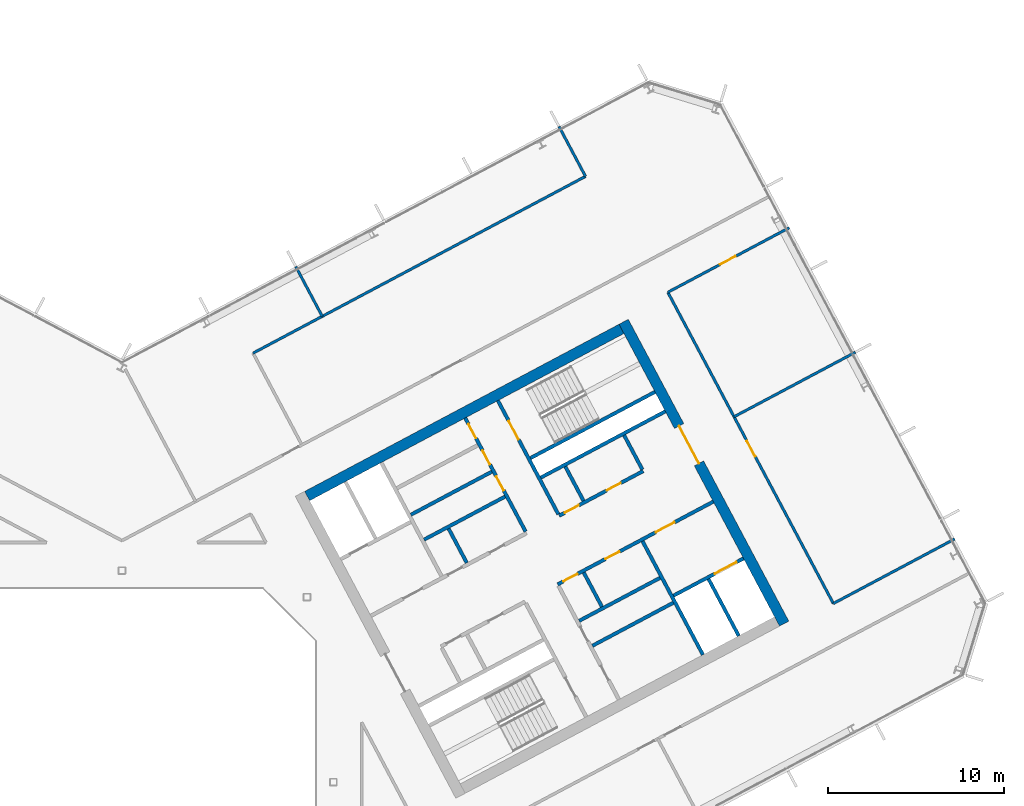
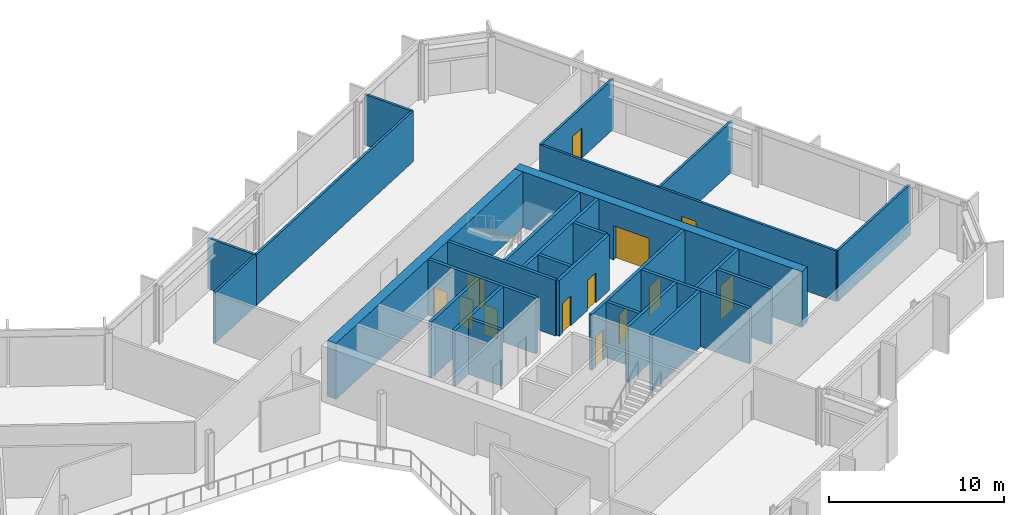
# One storey, part 16 of 26: 27 walls, 13 doors, 13 openings.
"""IFC4 building model written with IfcOpenShell, lengths in metres."""

from ifc_helpers import new_model, si_unit, direction, frame, frame_2d, origin, place, context, subcontext, project, spatial, rectangle, extrude, material, layer, layer_set, type_object, element, fill, save


model = new_model("IFC4")

# Units and contexts
model_context = context("Model", 3, precision=1e-05, world=origin(), true_north=direction((0.0, 1.0)))
body_context = subcontext(model_context, "Body", "Model", "MODEL_VIEW")
ifc_project = project(units=[si_unit("LENGTHUNIT", "METRE"), si_unit("AREAUNIT", "SQUARE_METRE"), si_unit("VOLUMEUNIT", "CUBIC_METRE"), si_unit("PLANEANGLEUNIT", "RADIAN"), si_unit("MASSUNIT", "GRAM", prefix="KILO")], contexts=[model_context])

# Site, building, storey
site_placement = place(None, origin())
site = spatial("IfcSite", under=ifc_project, at=site_placement, CompositionType="ELEMENT")
building_placement = place(site_placement, origin())
building = spatial("IfcBuilding", under=site, at=building_placement, Name="Cormorant Relay Tower", CompositionType="ELEMENT")
storey_placement = place(building_placement, frame((0.0, 0.0, 220.800048828125)))
storey = spatial("IfcBuildingStorey", under=building, at=storey_placement, Name="L48", CompositionType="ELEMENT", Elevation=220.800048828125)

# Walls
ifc_material_1 = material(Name="Concrete 40 MPa", Category="concrete")
ifc_layer_1 = layer(ifc_material_1, 0.199951171875)
ifc_layer_set_1 = layer_set([ifc_layer_1], Name="Core internal wall 200")
wall_type_1 = type_object("IfcWallType", Name="Core internal wall 200", PredefinedType="SOLIDWALL", material=ifc_layer_set_1)
for number, where, z_axis, x_axis, name in (
    (1, (19.568603515625, 12.443603515625, 0.0), (0.0, 0.0, 1.0), (-0.4694473164, 0.882960484464, 0.0), "L48 core B shaft and room wall"),
    (2, (27.236083984375, 9.951416015625, 0.0), (0.0, 0.0, 1.0), (-0.4694473164, 0.882960484464, 0.0), "L48 core B shaft and room wall"),
    (3, (26.19091796875, 15.964599609375, 0.0), (0.0, 0.0, 1.0), (-0.469533832133, 0.882914480843, 0.0), "L48 core B shaft and room wall"),
):
    element("IfcWall", number, at=place(storey_placement, frame(where, z_axis=z_axis, x_axis=x_axis)), inside=storey, type_object=wall_type_1, Name=name, PredefinedType="SOLIDWALL", context=body_context, shape_type="SweptSolid", body=[
        extrude(rectangle(XDim=2.199951171875, YDim=0.199951171875, at=frame_2d((1.10009765625, 0.0))), origin(), (0.0, 0.0, 1.0), 3.89990234375),
    ])
for number, where, z_axis, x_axis, name in (
    (4, (26.692138671875, 7.73681640625, 0.0), (0.0, 0.0, 1.0), (0.882953967957, 0.469459572775, 0.0), "L48 core B shaft and room wall"),
    (5, (16.395751953125, 15.17333984375, 0.0), (0.0, 0.0, 1.0), (0.882934506056, 0.469496174655, 0.0), "L48 core B shaft and room wall"),
):
    element("IfcWall", number, at=place(storey_placement, frame(where, z_axis=z_axis, x_axis=x_axis)), inside=storey, type_object=wall_type_1, Name=name, PredefinedType="SOLIDWALL", context=body_context, shape_type="SweptSolid", body=[
        extrude(rectangle(XDim=5.199951171875, YDim=0.199951171875, at=frame_2d((2.60009765625, 0.0))), origin(), (0.0, 0.0, 1.0), 3.89990234375),
    ])

# Wall, openings, doors
ifc_material_2 = material(Name="Concrete 50 MPa", Category="concrete")
ifc_layer_2 = layer(ifc_material_2, 0.199951171875)
ifc_layer_set_2 = layer_set([ifc_layer_2], Name="Core shaft wall 200")
wall_type_2 = type_object("IfcWallType", Name="Core shaft wall 200", PredefinedType="SHEAR", material=ifc_layer_set_2)
wall_1_placement = place(storey_placement, frame((22.90625, 14.218017578125, 0.0), z_axis=(0.0, 0.0, 1.0), x_axis=(-0.469480409012, 0.88294288918, 0.0)))
wall_1 = element("IfcWall", 6, at=wall_1_placement, inside=storey, type_object=wall_type_2, Name="L48 core B shaft wall", PredefinedType="SHEAR", context=body_context, shape_type="SweptSolid", body=[
    extrude(rectangle(XDim=7.300048828125, YDim=0.199951171875, at=frame_2d((3.64990234375, 0.0))), origin(), (0.0, 0.0, 1.0), 3.89990234375),
])
opening_1_placement = place(wall_1_placement, frame((2.64990234375, 0.0, 0.0)))
opening_1 = element("IfcOpeningElement", 7, at=opening_1_placement, cuts=wall_1, Name="Opening CDD-274", PredefinedType="OPENING", context=body_context, shape_type="SweptSolid", body=[
    extrude(rectangle(XDim=0.89990234375, YDim=2.10009765625, at=frame_2d((0.449951171875, 1.050048828125))), frame((0.0, 0.10986328125, 0.0), z_axis=(0.0, -1.0, 0.0), x_axis=(1.0, 0.0, 0.0)), (0.0, 0.0, 1.0), 0.219970703125),
])
opening_2_placement = place(wall_1_placement, frame((4.300048828125, 0.0, 0.0)))
opening_2 = element("IfcOpeningElement", 8, at=opening_2_placement, cuts=wall_1, Name="Opening CDD-275", PredefinedType="OPENING", context=body_context, shape_type="SweptSolid", body=[
    extrude(rectangle(XDim=0.89990234375, YDim=2.10009765625, at=frame_2d((0.449951171875, 1.050048828125))), frame((0.0, 0.10986328125, 0.0), z_axis=(0.0, -1.0, 0.0), x_axis=(1.0, 0.0, 0.0)), (0.0, 0.0, 1.0), 0.219970703125),
])
opening_3_placement = place(wall_1_placement, frame((6.0, 0.0, 0.0)))
opening_3 = element("IfcOpeningElement", 9, at=opening_3_placement, cuts=wall_1, Name="Opening CDD-276", PredefinedType="OPENING", context=body_context, shape_type="SweptSolid", body=[
    extrude(rectangle(XDim=0.89990234375, YDim=2.10009765625, at=frame_2d((0.449951171875, 1.050048828125))), frame((0.0, 0.10986328125, 0.0), z_axis=(0.0, -1.0, 0.0), x_axis=(1.0, 0.0, 0.0)), (0.0, 0.0, 1.0), 0.219970703125),
])
ifc_material_3 = material(Name="Steel fire door", Category="steel")
door_type_1 = type_object("IfcDoorType", Name="Core room door 900x2100", OperationType="SINGLE_SWING_LEFT", PredefinedType="DOOR", material=ifc_material_3)
door_1_placement = place(opening_1_placement, frame((0.89990234375, 0.0, 0.0), z_axis=(0.0, 0.0, 1.0), x_axis=(-1.0, 0.0, 0.0)))
door_1 = element("IfcDoor", 10, at=door_1_placement, inside=storey, type_object=door_type_1, Name="Core room door 900x2100", OperationType="SINGLE_SWING_LEFT", OverallHeight=2.10009765625, OverallWidth=0.89990234375, PredefinedType="DOOR", context=body_context, shape_type="SweptSolid", body=[
    extrude(rectangle(XDim=0.89990234375, YDim=2.10009765625, at=frame_2d((0.449951171875, 1.050048828125))), frame((0.0, 0.02490234375, 0.0), z_axis=(0.0, -1.0, 0.0), x_axis=(1.0, 0.0, 0.0)), (0.0, 0.0, 1.0), 0.050048828125),
])
fill(opening_1, door_1)
door_2_placement = place(opening_2_placement, frame((0.89990234375, 0.0, 0.0), z_axis=(0.0, 0.0, 1.0), x_axis=(-1.0, 0.0, 0.0)))
door_2 = element("IfcDoor", 11, at=door_2_placement, inside=storey, type_object=door_type_1, Name="Core room door 900x2100", OperationType="SINGLE_SWING_RIGHT", OverallHeight=2.10009765625, OverallWidth=0.89990234375, PredefinedType="DOOR", context=body_context, shape_type="SweptSolid", body=[
    extrude(rectangle(XDim=0.89990234375, YDim=2.10009765625, at=frame_2d((0.449951171875, 1.050048828125))), frame((0.0, 0.02490234375, 0.0), z_axis=(0.0, -1.0, 0.0), x_axis=(1.0, 0.0, 0.0)), (0.0, 0.0, 1.0), 0.050048828125),
])
fill(opening_2, door_2)
door_3_placement = place(opening_3_placement, frame((0.89990234375, 0.0, 0.0), z_axis=(0.0, 0.0, 1.0), x_axis=(-1.0, 0.0, 0.0)))
door_3 = element("IfcDoor", 12, at=door_3_placement, inside=storey, type_object=door_type_1, Name="Core room door 900x2100", OperationType="SINGLE_SWING_LEFT", OverallHeight=2.10009765625, OverallWidth=0.89990234375, PredefinedType="DOOR", context=body_context, shape_type="SweptSolid", body=[
    extrude(rectangle(XDim=0.89990234375, YDim=2.10009765625, at=frame_2d((0.449951171875, 1.050048828125))), frame((0.0, 0.02490234375, 0.0), z_axis=(0.0, -1.0, 0.0), x_axis=(1.0, 0.0, 0.0)), (0.0, 0.0, 1.0), 0.050048828125),
])
fill(opening_3, door_3)

# Wall, opening, door
wall_2_placement = place(storey_placement, frame((24.760498046875, 15.2041015625, 0.0), z_axis=(0.0, 0.0, 1.0), x_axis=(-0.469494272526, 0.882935517501, 0.0)))
wall_2 = element("IfcWall", 13, at=wall_2_placement, inside=storey, type_object=wall_type_2, Name="L48 core B shaft wall", PredefinedType="SHEAR", context=body_context, shape_type="SweptSolid", body=[
    extrude(rectangle(XDim=7.2998046875, YDim=0.199951171875, at=frame_2d((3.64990234375, 0.0))), origin(), (0.0, 0.0, 1.0), 3.89990234375),
])
opening_4_placement = place(wall_2_placement, frame((4.800048828125, 0.0, 0.0)))
opening_4 = element("IfcOpeningElement", 14, at=opening_4_placement, cuts=wall_2, Name="Opening CDB-041", PredefinedType="OPENING", context=body_context, shape_type="SweptSolid", body=[
    extrude(rectangle(XDim=1.199951171875, YDim=2.10009765625, at=frame_2d((0.60009765625, 1.050048828125))), frame((0.0, 0.10986328125, 0.0), z_axis=(0.0, -1.0, 0.0), x_axis=(1.0, 0.0, 0.0)), (0.0, 0.0, 1.0), 0.219970703125),
])
ifc_material_4 = material(Name="Steel fire door", Category="steel")
door_type_2 = type_object("IfcDoorType", Name="Core stair door 1200x2100", OperationType="SINGLE_SWING_LEFT", PredefinedType="DOOR", material=ifc_material_4)
door_4_placement = place(opening_4_placement, frame((1.199951171875, 0.0, 0.0), z_axis=(0.0, 0.0, 1.0), x_axis=(-1.0, 0.0, 0.0)))
door_4 = element("IfcDoor", 15, at=door_4_placement, inside=storey, type_object=door_type_2, Name="Core stair door 1200x2100", OperationType="SINGLE_SWING_RIGHT", OverallHeight=2.10009765625, OverallWidth=1.199951171875, PredefinedType="DOOR", context=body_context, shape_type="SweptSolid", body=[
    extrude(rectangle(XDim=1.199951171875, YDim=2.10009765625, at=frame_2d((0.60009765625, 1.050048828125))), frame((0.0, 0.02490234375, 0.0), z_axis=(0.0, -1.0, 0.0), x_axis=(1.0, 0.0, 0.0)), (0.0, 0.0, 1.0), 0.050048828125),
])
fill(opening_4, door_4)

# Walls
wall_3_placement = place(storey_placement, frame((32.968017578125, 7.222900390625, 0.0), z_axis=(0.0, 0.0, 1.0), x_axis=(-0.469480409012, 0.88294288918, 0.0)))
element("IfcWall", 16, at=wall_3_placement, inside=storey, type_object=wall_type_2, Name="L48 core B shaft wall", PredefinedType="SHEAR", context=body_context, shape_type="SweptSolid", body=[
    extrude(rectangle(XDim=7.300048828125, YDim=0.199951171875, at=frame_2d((3.64990234375, 0.0))), origin(), (0.0, 0.0, 1.0), 3.89990234375),
])
wall_4_placement = place(storey_placement, frame((29.5283203125, 17.739013671875, 0.0), z_axis=(0.0, 0.0, 1.0), x_axis=(-0.469401318492, 0.882984938828, 0.0)))
element("IfcWall", 17, at=wall_4_placement, inside=storey, type_object=wall_type_2, Name="L48 core B shaft wall", PredefinedType="SHEAR", context=body_context, shape_type="SweptSolid", body=[
    extrude(rectangle(XDim=2.199951171875, YDim=0.199951171875, at=frame_2d((1.10009765625, 0.0))), origin(), (0.0, 0.0, 1.0), 3.89990234375),
])
wall_5_placement = place(storey_placement, frame((34.998779296875, 8.302734375, 0.0), z_axis=(0.0, 0.0, 1.0), x_axis=(-0.4694665462, 0.882950260207, 0.0)))
element("IfcWall", 18, at=wall_5_placement, inside=storey, type_object=wall_type_2, Name="L48 core B shaft wall", PredefinedType="SHEAR", context=body_context, shape_type="SweptSolid", body=[
    extrude(rectangle(XDim=3.650146484375, YDim=0.199951171875, at=frame_2d((1.8251953125, 0.0))), origin(), (0.0, 0.0, 1.0), 3.89990234375),
])

# Wall, opening, door
wall_6_placement = place(storey_placement, frame((31.295654296875, 10.5810546875, 0.0), z_axis=(0.0, 0.0, 1.0), x_axis=(0.882960433586, 0.469447412093, 0.0)))
wall_6 = element("IfcWall", 19, at=wall_6_placement, inside=storey, type_object=wall_type_2, Name="L48 core B shaft wall", PredefinedType="SHEAR", context=body_context, shape_type="SweptSolid", body=[
    extrude(rectangle(XDim=4.5, YDim=0.199951171875, at=frame_2d((2.25, 0.0))), origin(), (0.0, 0.0, 1.0), 3.89990234375),
])
opening_5_placement = place(wall_6_placement, frame((2.64990234375, 0.0, 0.0)))
opening_5 = element("IfcOpeningElement", 20, at=opening_5_placement, cuts=wall_6, Name="Opening LD3-016", PredefinedType="OPENING", context=body_context, shape_type="SweptSolid", body=[
    extrude(rectangle(XDim=1.39990234375, YDim=2.39990234375, at=frame_2d((0.699951171875, 1.199951171875))), frame((0.0, 0.10986328125, 0.0), z_axis=(0.0, -1.0, 0.0), x_axis=(1.0, 0.0, 0.0)), (0.0, 0.0, 1.0), 0.219970703125),
])
ifc_material_5 = material(Name="Stainless steel 316", Category="steel")
door_type_3 = type_object("IfcDoorType", Name="Lift landing door 1400x2400", OperationType="DOUBLE_DOOR_SLIDING", PredefinedType="DOOR", material=ifc_material_5)
door_5_placement = place(opening_5_placement, origin())
door_5 = element("IfcDoor", 21, at=door_5_placement, inside=storey, type_object=door_type_3, Name="SV2 landing door", OperationType="DOUBLE_DOOR_SLIDING", OverallHeight=2.39990234375, OverallWidth=1.39990234375, PredefinedType="DOOR", context=body_context, shape_type="SweptSolid", body=[
    extrude(rectangle(XDim=1.39990234375, YDim=2.39990234375, at=frame_2d((0.699951171875, 1.199951171875))), frame((0.0, 0.02490234375, 0.0), z_axis=(0.0, -1.0, 0.0), x_axis=(1.0, 0.0, 0.0)), (0.0, 0.0, 1.0), 0.050048828125),
])
fill(opening_5, door_5)

# Wall
wall_7_placement = place(storey_placement, frame((25.94091796875, 9.149658203125, 0.0), z_axis=(0.0, 0.0, 1.0), x_axis=(0.882953967957, 0.469459572775, 0.0)))
element("IfcWall", 22, at=wall_7_placement, inside=storey, type_object=wall_type_2, Name="L48 core B shaft wall", PredefinedType="SHEAR", context=body_context, shape_type="SweptSolid", body=[
    extrude(rectangle(XDim=5.199951171875, YDim=0.199951171875, at=frame_2d((2.60009765625, 0.0))), origin(), (0.0, 0.0, 1.0), 3.89990234375),
])

# Wall, openings, doors
wall_8_placement = place(storey_placement, frame((24.72607421875, 11.2216796875, 0.0), z_axis=(0.0, 0.0, 1.0), x_axis=(0.882940221191, 0.469485426614, 0.0)))
wall_8 = element("IfcWall", 23, at=wall_8_placement, inside=storey, type_object=wall_type_2, Name="L48 core B shaft wall", PredefinedType="SHEAR", context=body_context, shape_type="SweptSolid", body=[
    extrude(rectangle(XDim=10.0, YDim=0.199951171875, at=frame_2d((5.0, 0.0))), origin(), (0.0, 0.0, 1.0), 3.89990234375),
])
opening_6_placement = place(wall_8_placement, frame((6.300048828125, 0.0, 0.0)))
opening_6 = element("IfcOpeningElement", 24, at=opening_6_placement, cuts=wall_8, Name="Opening CDC-036", PredefinedType="OPENING", context=body_context, shape_type="SweptSolid", body=[
    extrude(rectangle(XDim=1.199951171875, YDim=2.10009765625, at=frame_2d((0.60009765625, 1.050048828125))), frame((0.0, 0.10986328125, 0.0), z_axis=(0.0, -1.0, 0.0), x_axis=(1.0, 0.0, 0.0)), (0.0, 0.0, 1.0), 0.219970703125),
])
opening_7_placement = place(wall_8_placement, frame((0.360107421875, 0.0, 0.0)))
opening_7 = element("IfcOpeningElement", 25, at=opening_7_placement, cuts=wall_8, Name="Opening CDD-247", PredefinedType="OPENING", context=body_context, shape_type="SweptSolid", body=[
    extrude(rectangle(XDim=0.89990234375, YDim=2.10009765625, at=frame_2d((0.449951171875, 1.050048828125))), frame((0.0, 0.10986328125, 0.0), z_axis=(0.0, -1.0, 0.0), x_axis=(1.0, 0.0, 0.0)), (0.0, 0.0, 1.0), 0.219970703125),
])
opening_8_placement = place(wall_8_placement, frame((3.06005859375, 0.0, 0.0)))
opening_8 = element("IfcOpeningElement", 26, at=opening_8_placement, cuts=wall_8, Name="Opening CDD-248", PredefinedType="OPENING", context=body_context, shape_type="SweptSolid", body=[
    extrude(rectangle(XDim=0.89990234375, YDim=2.10009765625, at=frame_2d((0.449951171875, 1.050048828125))), frame((0.0, 0.10986328125, 0.0), z_axis=(0.0, -1.0, 0.0), x_axis=(1.0, 0.0, 0.0)), (0.0, 0.0, 1.0), 0.219970703125),
])
ifc_material_6 = material(Name="Steel fire door", Category="steel")
door_type_4 = type_object("IfcDoorType", Name="Core lobby door 1200x2100", OperationType="SINGLE_SWING_LEFT", PredefinedType="DOOR", material=ifc_material_6)
door_6_placement = place(opening_6_placement, frame((1.199951171875, 0.0, 0.0), z_axis=(0.0, 0.0, 1.0), x_axis=(-1.0, 0.0, 0.0)))
door_6 = element("IfcDoor", 27, at=door_6_placement, inside=storey, type_object=door_type_4, Name="Core lobby door 1200x2100", OperationType="SINGLE_SWING_RIGHT", OverallHeight=2.10009765625, OverallWidth=1.199951171875, PredefinedType="DOOR", context=body_context, shape_type="SweptSolid", body=[
    extrude(rectangle(XDim=1.199951171875, YDim=2.10009765625, at=frame_2d((0.60009765625, 1.050048828125))), frame((0.0, 0.02490234375, 0.0), z_axis=(0.0, -1.0, 0.0), x_axis=(1.0, 0.0, 0.0)), (0.0, 0.0, 1.0), 0.050048828125),
])
fill(opening_6, door_6)
door_7_placement = place(opening_7_placement, frame((0.89990234375, 0.0, 0.0), z_axis=(0.0, 0.0, 1.0), x_axis=(-1.0, 0.0, 0.0)))
door_7 = element("IfcDoor", 28, at=door_7_placement, inside=storey, type_object=door_type_1, Name="Core room door 900x2100", OperationType="SINGLE_SWING_RIGHT", OverallHeight=2.10009765625, OverallWidth=0.89990234375, PredefinedType="DOOR", context=body_context, shape_type="SweptSolid", body=[
    extrude(rectangle(XDim=0.89990234375, YDim=2.10009765625, at=frame_2d((0.449951171875, 1.050048828125))), frame((0.0, 0.02490234375, 0.0), z_axis=(0.0, -1.0, 0.0), x_axis=(1.0, 0.0, 0.0)), (0.0, 0.0, 1.0), 0.050048828125),
])
fill(opening_7, door_7)
door_8_placement = place(opening_8_placement, frame((0.89990234375, 0.0, 0.0), z_axis=(0.0, 0.0, 1.0), x_axis=(-1.0, 0.0, 0.0)))
door_8 = element("IfcDoor", 29, at=door_8_placement, inside=storey, type_object=door_type_1, Name="Core room door 900x2100", OperationType="SINGLE_SWING_RIGHT", OverallHeight=2.10009765625, OverallWidth=0.89990234375, PredefinedType="DOOR", context=body_context, shape_type="SweptSolid", body=[
    extrude(rectangle(XDim=0.89990234375, YDim=2.10009765625, at=frame_2d((0.449951171875, 1.050048828125))), frame((0.0, 0.02490234375, 0.0), z_axis=(0.0, -1.0, 0.0), x_axis=(1.0, 0.0, 0.0)), (0.0, 0.0, 1.0), 0.050048828125),
])
fill(opening_8, door_8)

wall_9_placement = place(storey_placement, frame((24.807373046875, 15.11572265625, 0.0), z_axis=(0.0, 0.0, 1.0), x_axis=(0.882942972946, 0.469480251476, 0.0)))
wall_9 = element("IfcWall", 30, at=wall_9_placement, inside=storey, type_object=wall_type_2, Name="L48 core B shaft wall", PredefinedType="SHEAR", context=body_context, shape_type="SweptSolid", body=[
    extrude(rectangle(XDim=5.39990234375, YDim=0.199951171875, at=frame_2d((2.699951171875, 0.0))), origin(), (0.0, 0.0, 1.0), 3.89990234375),
])
opening_9_placement = place(wall_9_placement, frame((0.360107421875, 0.0, 0.0)))
opening_9 = element("IfcOpeningElement", 31, at=opening_9_placement, cuts=wall_9, Name="Opening CDD-273", PredefinedType="OPENING", context=body_context, shape_type="SweptSolid", body=[
    extrude(rectangle(XDim=0.89990234375, YDim=2.10009765625, at=frame_2d((0.449951171875, 1.050048828125))), frame((0.0, 0.10986328125, 0.0), z_axis=(0.0, -1.0, 0.0), x_axis=(1.0, 0.0, 0.0)), (0.0, 0.0, 1.0), 0.219970703125),
])
opening_10_placement = place(wall_9_placement, frame((3.06005859375, 0.0, 0.0)))
opening_10 = element("IfcOpeningElement", 32, at=opening_10_placement, cuts=wall_9, Name="Opening CDD-244", PredefinedType="OPENING", context=body_context, shape_type="SweptSolid", body=[
    extrude(rectangle(XDim=0.89990234375, YDim=2.10009765625, at=frame_2d((0.449951171875, 1.050048828125))), frame((0.0, 0.10986328125, 0.0), z_axis=(0.0, -1.0, 0.0), x_axis=(1.0, 0.0, 0.0)), (0.0, 0.0, 1.0), 0.219970703125),
])
door_9_placement = place(opening_9_placement, frame((0.89990234375, 0.0, 0.0), z_axis=(0.0, 0.0, 1.0), x_axis=(-1.0, 0.0, 0.0)))
door_9 = element("IfcDoor", 33, at=door_9_placement, inside=storey, type_object=door_type_1, Name="Core room door 900x2100", OperationType="SINGLE_SWING_RIGHT", OverallHeight=2.10009765625, OverallWidth=0.89990234375, PredefinedType="DOOR", context=body_context, shape_type="SweptSolid", body=[
    extrude(rectangle(XDim=0.89990234375, YDim=2.10009765625, at=frame_2d((0.449951171875, 1.050048828125))), frame((0.0, 0.02490234375, 0.0), z_axis=(0.0, -1.0, 0.0), x_axis=(1.0, 0.0, 0.0)), (0.0, 0.0, 1.0), 0.050048828125),
])
fill(opening_9, door_9)
door_10_placement = place(opening_10_placement, frame((0.89990234375, 0.0, 0.0), z_axis=(0.0, 0.0, 1.0), x_axis=(-1.0, 0.0, 0.0)))
door_10 = element("IfcDoor", 34, at=door_10_placement, inside=storey, type_object=door_type_1, Name="Core room door 900x2100", OperationType="SINGLE_SWING_RIGHT", OverallHeight=2.10009765625, OverallWidth=0.89990234375, PredefinedType="DOOR", context=body_context, shape_type="SweptSolid", body=[
    extrude(rectangle(XDim=0.89990234375, YDim=2.10009765625, at=frame_2d((0.449951171875, 1.050048828125))), frame((0.0, 0.02490234375, 0.0), z_axis=(0.0, -1.0, 0.0), x_axis=(1.0, 0.0, 0.0)), (0.0, 0.0, 1.0), 0.050048828125),
])
fill(opening_10, door_10)

# Walls
wall_10_placement = place(storey_placement, frame((17.146728515625, 13.7607421875, 0.0), z_axis=(0.0, 0.0, 1.0), x_axis=(0.882964314875, 0.469440111896, 0.0)))
element("IfcWall", 35, at=wall_10_placement, inside=storey, type_object=wall_type_2, Name="L48 core B shaft wall", PredefinedType="SHEAR", context=body_context, shape_type="SweptSolid", body=[
    extrude(rectangle(XDim=5.2001953125, YDim=0.199951171875, at=frame_2d((2.60009765625, 0.0))), origin(), (0.0, 0.0, 1.0), 3.89990234375),
])
wall_11_placement = place(storey_placement, frame((23.76904296875, 17.28173828125, 0.0), z_axis=(0.0, 0.0, 1.0), x_axis=(0.882940221191, 0.469485426614, 0.0)))
element("IfcWall", 36, at=wall_11_placement, inside=storey, type_object=wall_type_2, Name="L48 core B shaft wall", PredefinedType="SHEAR", context=body_context, shape_type="SweptSolid", body=[
    extrude(rectangle(XDim=8.0, YDim=0.199951171875, at=frame_2d((4.0, 0.0))), origin(), (0.0, 0.0, 1.0), 3.89990234375),
])
wall_12_placement = place(storey_placement, frame((23.18212890625, 18.385498046875, 0.0), z_axis=(0.0, 0.0, 1.0), x_axis=(0.88295287151, 0.469461634952, 0.0)))
element("IfcWall", 37, at=wall_12_placement, inside=storey, type_object=wall_type_2, Name="L48 core B shaft wall", PredefinedType="SHEAR", context=body_context, shape_type="SweptSolid", body=[
    extrude(rectangle(XDim=7.999755859375, YDim=0.199951171875, at=frame_2d((4.0, 0.0))), origin(), (0.0, 0.0, 1.0), 3.89990234375),
])

# Wall, opening, door
ifc_material_7 = material(Name="Concrete 50 MPa", Category="concrete")
ifc_layer_3 = layer(ifc_material_7, 0.60009765625)
ifc_layer_set_3 = layer_set([ifc_layer_3], Name="Core wall 600")
wall_type_3 = type_object("IfcWallType", Name="Core wall 600", PredefinedType="SHEAR", material=ifc_layer_set_3)
wall_13_placement = place(storey_placement, frame((37.576171875, 8.99365234375, 0.0), z_axis=(0.0, 0.0, 1.0), x_axis=(-0.469478769487, 0.88294376095, 0.0)))
wall_13 = element("IfcWall", 38, at=wall_13_placement, inside=storey, type_object=wall_type_3, Name="L48 core B wall", PredefinedType="SHEAR", context=body_context, shape_type="SweptSolid", body=[
    extrude(rectangle(XDim=19.400146484375, YDim=0.60009765625, at=frame_2d((9.7001953125, 0.0))), origin(), (0.0, 0.0, 1.0), 3.89990234375),
])
opening_11_placement = place(wall_13_placement, frame((10.300048828125, 0.0, 0.0)))
opening_11 = element("IfcOpeningElement", 39, at=opening_11_placement, cuts=wall_13, Name="Opening CDA-043", PredefinedType="OPENING", context=body_context, shape_type="SweptSolid", body=[
    extrude(rectangle(XDim=2.39990234375, YDim=2.39990234375, at=frame_2d((1.199951171875, 1.199951171875))), frame((0.0, 0.31005859375, 0.0), z_axis=(0.0, -1.0, 0.0), x_axis=(1.0, 0.0, 0.0)), (0.0, 0.0, 1.0), 0.6201171875),
])
ifc_material_8 = material(Name="Steel fire door", Category="steel")
door_type_5 = type_object("IfcDoorType", Name="Core lobby door 2400x2400", OperationType="DOUBLE_DOOR_SINGLE_SWING", PredefinedType="DOOR", material=ifc_material_8)
door_11_placement = place(opening_11_placement, origin())
door_11 = element("IfcDoor", 40, at=door_11_placement, inside=storey, type_object=door_type_5, Name="Core lobby door 2400x2400", OperationType="DOUBLE_DOOR_SINGLE_SWING", OverallHeight=2.39990234375, OverallWidth=2.39990234375, PredefinedType="DOOR", context=body_context, shape_type="SweptSolid", body=[
    extrude(rectangle(XDim=2.39990234375, YDim=2.39990234375, at=frame_2d((1.199951171875, 1.199951171875))), frame((0.0, 0.02490234375, 0.0), z_axis=(0.0, -1.0, 0.0), x_axis=(1.0, 0.0, 0.0)), (0.0, 0.0, 1.0), 0.050048828125),
])
fill(opening_11, door_11)

# Wall
wall_14_placement = place(storey_placement, frame((10.5087890625, 16.23388671875, 0.0), z_axis=(0.0, 0.0, 1.0), x_axis=(0.88295010195, 0.469466843842, 0.0)))
element("IfcWall", 41, at=wall_14_placement, inside=storey, type_object=wall_type_3, Name="L48 core B wall", PredefinedType="SHEAR", context=body_context, shape_type="SweptSolid", body=[
    extrude(rectangle(XDim=20.199951171875, YDim=0.60009765625, at=frame_2d((10.10009765625, 0.0))), origin(), (0.0, 0.0, 1.0), 3.89990234375),
])

# Wall, opening, door
ifc_material_9 = material(Name="Gypsum board fire partition")
ifc_layer_4 = layer(ifc_material_9, 0.14990234375)
ifc_layer_set_4 = layer_set([ifc_layer_4], Name="Corridor partition 150 EI 60")
wall_type_4 = type_object("IfcWallType", Name="Corridor partition 150 EI 60", PredefinedType="PARTITIONING", material=ifc_layer_set_4)
wall_15_placement = place(storey_placement, frame((37.864013671875, 31.4580078125, 0.0), z_axis=(0.0, 0.0, 1.0), x_axis=(-0.882962098673, -0.4694442803, 0.0)))
wall_15 = element("IfcWall", 42, at=wall_15_placement, inside=storey, type_object=wall_type_4, Name="wall/L48/part/039", PredefinedType="PARTITIONING", context=body_context, shape_type="SweptSolid", body=[
    extrude(rectangle(XDim=7.801025390625, YDim=0.14990234375, at=frame_2d((3.900390625, 0.0))), origin(), (0.0, 0.0, 1.0), 3.5400390625),
])
opening_12_placement = place(wall_15_placement, frame((3.449951171875, 0.0, 0.0)))
opening_12 = element("IfcOpeningElement", 43, at=opening_12_placement, cuts=wall_15, Name="Opening DS-151", PredefinedType="OPENING", context=body_context, shape_type="SweptSolid", body=[
    extrude(rectangle(XDim=1.0, YDim=2.10009765625, at=frame_2d((0.5, 1.050048828125))), frame((0.0, 0.0849609375, 0.0), z_axis=(0.0, -1.0, 0.0), x_axis=(1.0, 0.0, 0.0)), (0.0, 0.0, 1.0), 0.169921875),
])
ifc_material_10 = material(Name="Timber door leaf", Category="wood")
door_type_6 = type_object("IfcDoorType", Name="Suite door 1000x2100", OperationType="SINGLE_SWING_LEFT", PredefinedType="DOOR", material=ifc_material_10)
door_12_placement = place(opening_12_placement, origin())
door_12 = element("IfcDoor", 44, at=door_12_placement, inside=storey, type_object=door_type_6, Name="door/L48/017", OperationType="SINGLE_SWING_RIGHT", OverallHeight=2.10009765625, OverallWidth=1.0, PredefinedType="DOOR", context=body_context, shape_type="SweptSolid", body=[
    extrude(rectangle(XDim=1.0, YDim=2.10009765625, at=frame_2d((0.5, 1.050048828125))), frame((0.0, 0.02490234375, 0.0), z_axis=(0.0, -1.0, 0.0), x_axis=(1.0, 0.0, 0.0)), (0.0, 0.0, 1.0), 0.050048828125),
])
fill(opening_12, door_12)

wall_16_placement = place(storey_placement, frame((30.97607421875, 27.7958984375, 0.0), z_axis=(0.0, 0.0, 1.0), x_axis=(0.469489882812, -0.882937851685, 0.0)))
wall_16 = element("IfcWall", 45, at=wall_16_placement, inside=storey, type_object=wall_type_4, Name="wall/L48/part/040", PredefinedType="PARTITIONING", context=body_context, shape_type="SweptSolid", body=[
    extrude(rectangle(XDim=20.000244140625, YDim=0.14990234375, at=frame_2d((10.0, 0.0))), origin(), (0.0, 0.0, 1.0), 3.5400390625),
])
opening_13_placement = place(wall_16_placement, frame((9.550048828125, 0.0, 0.0)))
opening_13 = element("IfcOpeningElement", 46, at=opening_13_placement, cuts=wall_16, Name="Opening DS-150", PredefinedType="OPENING", context=body_context, shape_type="SweptSolid", body=[
    extrude(rectangle(XDim=1.0, YDim=2.10009765625, at=frame_2d((0.5, 1.050048828125))), frame((0.0, 0.0849609375, 0.0), z_axis=(0.0, -1.0, 0.0), x_axis=(1.0, 0.0, 0.0)), (0.0, 0.0, 1.0), 0.169921875),
])
door_13_placement = place(opening_13_placement, origin())
door_13 = element("IfcDoor", 47, at=door_13_placement, inside=storey, type_object=door_type_6, Name="door/L48/016", OperationType="SINGLE_SWING_LEFT", OverallHeight=2.10009765625, OverallWidth=1.0, PredefinedType="DOOR", context=body_context, shape_type="SweptSolid", body=[
    extrude(rectangle(XDim=1.0, YDim=2.10009765625, at=frame_2d((0.5, 1.050048828125))), frame((0.0, 0.02490234375, 0.0), z_axis=(0.0, -1.0, 0.0), x_axis=(1.0, 0.0, 0.0)), (0.0, 0.0, 1.0), 0.050048828125),
])
fill(opening_13, door_13)

# Walls
wall_17_placement = place(storey_placement, frame((40.365966796875, 10.136962890625, 0.0), z_axis=(0.0, 0.0, 1.0), x_axis=(0.882934506056, 0.469496174655, 0.0)))
element("IfcWall", 48, at=wall_17_placement, inside=storey, type_object=wall_type_4, Name="wall/L48/part/041", PredefinedType="PARTITIONING", context=body_context, shape_type="SweptSolid", body=[
    extrude(rectangle(XDim=7.800048828125, YDim=0.14990234375, at=frame_2d((3.89990234375, 0.0))), origin(), (0.0, 0.0, 1.0), 3.5400390625),
])
ifc_material_11 = material(Name="Gypsum board partition")
ifc_layer_5 = layer(ifc_material_11, 0.14990234375)
ifc_layer_set_5 = layer_set([ifc_layer_5], Name="Tenant partition 150")
wall_type_5 = type_object("IfcWallType", Name="Tenant partition 150", PredefinedType="PARTITIONING", material=ifc_layer_set_5)
wall_18_placement = place(storey_placement, frame((9.864013671875, 29.2548828125, 0.0), z_axis=(0.0, 0.0, 1.0), x_axis=(0.469447181805, -0.882960556025, 0.0)))
element("IfcWall", 49, at=wall_18_placement, inside=storey, type_object=wall_type_5, Name="wall/L48/part/031", PredefinedType="PARTITIONING", context=body_context, shape_type="SweptSolid", body=[
    extrude(rectangle(XDim=3.199462890625, YDim=0.14990234375, at=frame_2d((1.599609375, 0.0))), origin(), (0.0, 0.0, 1.0), 3.5400390625),
])
wall_19_placement = place(storey_placement, frame((11.35498046875, 26.424072265625, 0.0), z_axis=(0.0, 0.0, 1.0), x_axis=(-0.882846627183, -0.469661402366, 0.0)))
element("IfcWall", 50, at=wall_19_placement, inside=storey, type_object=wall_type_5, Name="wall/L48/part/032", PredefinedType="PARTITIONING", context=body_context, shape_type="SweptSolid", body=[
    extrude(rectangle(XDim=4.430908203125, YDim=0.14990234375, at=frame_2d((2.21533203125, 0.0))), origin(), (0.0, 0.0, 1.0), 3.5400390625),
])
wall_20_placement = place(storey_placement, frame((11.35498046875, 26.424072265625, 0.0), z_axis=(0.0, 0.0, 1.0), x_axis=(0.882971344108, 0.469426890458, 0.0)))
element("IfcWall", 51, at=wall_20_placement, inside=storey, type_object=wall_type_5, Name="wall/L48/part/034", PredefinedType="PARTITIONING", context=body_context, shape_type="SweptSolid", body=[
    extrude(rectangle(XDim=16.92919921875, YDim=0.14990234375, at=frame_2d((8.464599609375, 0.0))), origin(), (0.0, 0.0, 1.0), 3.5400390625),
])
wall_21_placement = place(storey_placement, frame((26.302978515625, 34.37109375, 0.0), z_axis=(0.0, 0.0, 1.0), x_axis=(-0.46919425931, 0.883094981885, 0.0)))
element("IfcWall", 52, at=wall_21_placement, inside=storey, type_object=wall_type_5, Name="wall/L48/part/035", PredefinedType="PARTITIONING", context=body_context, shape_type="SweptSolid", body=[
    extrude(rectangle(XDim=3.201171875, YDim=0.14990234375, at=frame_2d((1.6005859375, 0.0))), origin(), (0.0, 0.0, 1.0), 3.5400390625),
])
wall_22_placement = place(storey_placement, frame((41.618896484375, 24.39501953125, 0.0), z_axis=(0.0, 0.0, 1.0), x_axis=(-0.882882604432, -0.469593767837, 0.0)))
element("IfcWall", 53, at=wall_22_placement, inside=storey, type_object=wall_type_5, Name="wall/L48/part/042", PredefinedType="PARTITIONING", context=body_context, shape_type="SweptSolid", body=[
    extrude(rectangle(XDim=7.800537109375, YDim=0.14990234375, at=frame_2d((3.900390625, 0.0))), origin(), (0.0, 0.0, 1.0), 3.5400390625),
])

save(model, "model.ifc")
